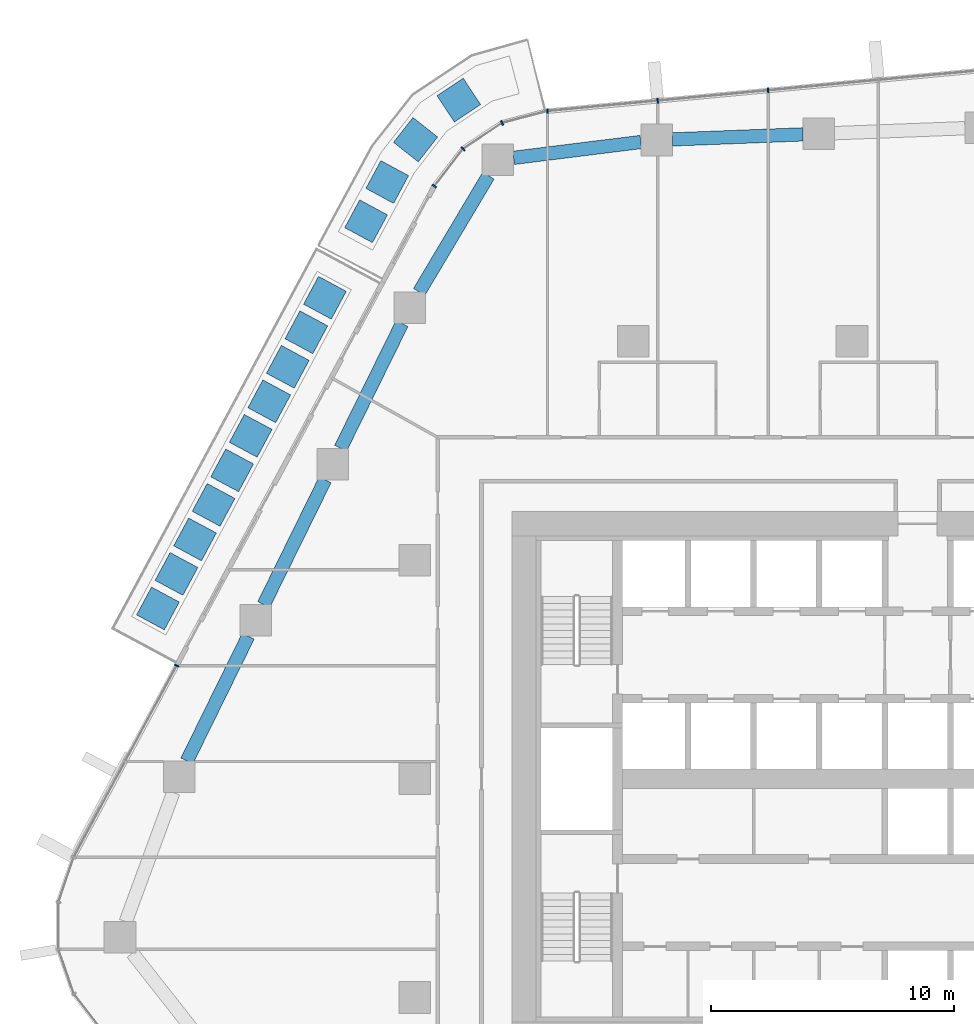
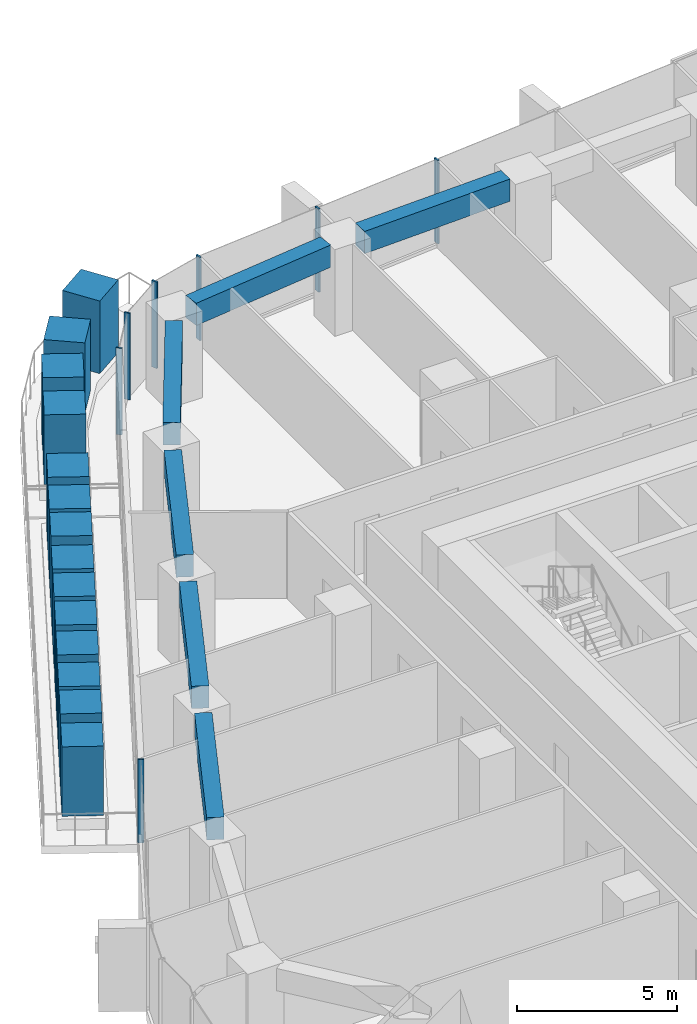
# One storey, part 6 of 24: 21 members, 6 beams, 3 elements without a shape of their own.
"""IFC4 building model written with IfcOpenShell, lengths in metres."""

from ifc_helpers import new_model, si_unit, direction, frame, origin, origin_2d, place, context, subcontext, project, spatial, rectangle, extrude, material, layer, layer_set, material_profile, profile_set, type_object, element, aggregate, save


model = new_model("IFC4")

# Units and contexts
model_context = context("Model", 3, precision=1e-05, world=origin(), true_north=direction((0.0, 1.0)))
body_context = subcontext(model_context, "Body", "Model", "MODEL_VIEW")
ifc_project = project(units=[si_unit("LENGTHUNIT", "METRE"), si_unit("AREAUNIT", "SQUARE_METRE"), si_unit("VOLUMEUNIT", "CUBIC_METRE"), si_unit("PLANEANGLEUNIT", "RADIAN"), si_unit("MASSUNIT", "GRAM", prefix="KILO")], contexts=[model_context])

# Site, building, storey
site_placement = place(None, origin())
site = spatial("IfcSite", under=ifc_project, at=site_placement, CompositionType="ELEMENT")
building_placement = place(site_placement, origin())
building = spatial("IfcBuilding", under=site, at=building_placement, Name="Dongbaek Canopy Tower", CompositionType="ELEMENT")
storey_placement = place(building_placement, frame((0.0, 0.0, 124.800048828125)))
storey = spatial("IfcBuildingStorey", under=building, at=storey_placement, Name="L27", CompositionType="ELEMENT", Elevation=124.800048828125)

# Curtain wall, members
ifc_material_1 = material(Name="Aluminium 6063-T6 pale anodised", Category="aluminium")
ifc_layer = layer(ifc_material_1, 0.199951171875)
ifc_layer_set = layer_set([ifc_layer], Name="CW-1 unitised tower curtain wall")
curtain_wall_type = type_object("IfcCurtainWallType", Name="CW-1 unitised tower curtain wall", PredefinedType="NOTDEFINED", material=ifc_layer_set)
curtain_wall_1_placement = place(storey_placement, origin())
curtain_wall_1 = element("IfcCurtainWall", 1, at=curtain_wall_1_placement, inside=storey, type_object=curtain_wall_type, Name="CW-1 curtain wall F1.1", PredefinedType="NOTDEFINED")
ifc_material_2 = material(Name="Aluminium 6063-T6 pale anodised", Category="aluminium")
ifc_material_profile_1 = material_profile(ifc_material_2, rectangle(XDim=0.199951171875, YDim=0.06005859375, at=origin_2d()), Name="CW-1 mullion 60 x 200")
ifc_profile_set_1 = profile_set([ifc_material_profile_1], Name="Aluminium 6063-T6 pale anodised")
member_type_1 = type_object("IfcMemberType", Name="CW-1 mullion 60 x 200", PredefinedType="MULLION", material=ifc_profile_set_1)
member_1_placement = place(storey_placement, frame((-3.454833984375, 28.332763671875, 0.119873046875), z_axis=(0.0, 0.0, 1.0), x_axis=(-0.093397804951, 0.995628871634, 0.0)))
member_1 = element("IfcMember", 2, at=member_1_placement, type_object=member_type_1, Name="CW-1 mullion F1.1.4", PredefinedType="MULLION", context=body_context, shape_type="SweptSolid", body=[
    extrude(rectangle(XDim=0.199951171875, YDim=0.06005859375, at=origin_2d()), origin(), (0.0, 0.0, 1.0), 3.18017578125),
])
member_2_placement = place(storey_placement, frame((-7.996826171875, 27.90673828125, 0.119873046875), z_axis=(0.0, 0.0, 1.0), x_axis=(-0.093397804951, 0.995628871634, 0.0)))
member_2 = element("IfcMember", 3, at=member_2_placement, type_object=member_type_1, Name="CW-1 mullion F1.1.5", PredefinedType="MULLION", context=body_context, shape_type="SweptSolid", body=[
    extrude(rectangle(XDim=0.199951171875, YDim=0.06005859375, at=origin_2d()), origin(), (0.0, 0.0, 1.0), 3.18017578125),
])
member_3_placement = place(storey_placement, frame((-12.5302734375, 27.4814453125, 0.119873046875), z_axis=(0.0, 0.0, 1.0), x_axis=(-0.093397804951, 0.995628871634, 0.0)))
member_3 = element("IfcMember", 4, at=member_3_placement, type_object=member_type_1, Name="CW-1 mullion F1.1.6", PredefinedType="MULLION", context=body_context, shape_type="SweptSolid", body=[
    extrude(rectangle(XDim=0.199951171875, YDim=0.06005859375, at=origin_2d()), origin(), (0.0, 0.0, 1.0), 3.18017578125),
])
aggregate(curtain_wall_1, [member_1, member_2, member_3])

curtain_wall_2_placement = place(storey_placement, origin())
curtain_wall_2 = element("IfcCurtainWall", 5, at=curtain_wall_2_placement, inside=storey, type_object=curtain_wall_type, Name="CW-1 curtain wall K2.1", PredefinedType="NOTDEFINED")
member_4_placement = place(storey_placement, frame((-14.401123046875, 26.988525390625, 0.0), z_axis=(0.0, 0.0, 1.0), x_axis=(-0.409192831574, 0.912447930892, 0.0)))
member_4 = element("IfcMember", 6, at=member_4_placement, type_object=member_type_1, Name="CW-1 mullion K2.1.2", PredefinedType="MULLION", context=body_context, shape_type="SweptSolid", body=[
    extrude(rectangle(XDim=0.199951171875, YDim=0.06005859375, at=origin_2d()), origin(), (0.0, 0.0, 1.0), 3.300048828125),
])
member_5_placement = place(storey_placement, frame((-16.006591796875, 25.924072265625, 0.0), z_axis=(0.0, 0.0, 1.0), x_axis=(-0.681349256358, 0.731958462524, 0.0)))
member_5 = element("IfcMember", 7, at=member_5_placement, type_object=member_type_1, Name="CW-1 mullion K2.1.3", PredefinedType="MULLION", context=body_context, shape_type="SweptSolid", body=[
    extrude(rectangle(XDim=0.199951171875, YDim=0.06005859375, at=origin_2d()), origin(), (0.0, 0.0, 1.0), 3.300048828125),
])
member_6_placement = place(storey_placement, frame((-17.1884765625, 24.392333984375, 0.0), z_axis=(0.0, 0.0, 1.0), x_axis=(-0.791721529724, 0.610882164883, 0.0)))
member_6 = element("IfcMember", 8, at=member_6_placement, type_object=member_type_1, Name="CW-1 mullion K2.1.4", PredefinedType="MULLION", context=body_context, shape_type="SweptSolid", body=[
    extrude(rectangle(XDim=0.199951171875, YDim=0.06005859375, at=origin_2d()), origin(), (0.0, 0.0, 1.0), 3.300048828125),
])
aggregate(curtain_wall_2, [member_4, member_5, member_6])

# Curtain wall, member
curtain_wall_3_placement = place(storey_placement, origin())
curtain_wall_3 = element("IfcCurtainWall", 9, at=curtain_wall_3_placement, inside=storey, type_object=curtain_wall_type, Name="CW-1 curtain wall F2.1", PredefinedType="NOTDEFINED")
member_7_placement = place(storey_placement, frame((-27.793701171875, 4.65966796875, 0.119873046875), z_axis=(0.0, 0.0, 1.0), x_axis=(-0.880842802858, 0.473408868372, 0.0)))
member_7 = element("IfcMember", 10, at=member_7_placement, type_object=member_type_1, Name="CW-1 mullion F2.1.1", PredefinedType="MULLION", context=body_context, shape_type="SweptSolid", body=[
    extrude(rectangle(XDim=0.199951171875, YDim=0.06005859375, at=origin_2d()), origin(), (0.0, 0.0, 1.0), 3.18017578125),
])
aggregate(curtain_wall_3, [member_7])

# Beams
ifc_material_3 = material(Name="Concrete C80", Category="concrete")
ifc_material_profile_2 = material_profile(ifc_material_3, rectangle(XDim=0.550048828125, YDim=0.85009765625, at=origin_2d()), Name="RC EDGE BEAM 550x850 C80")
ifc_profile_set_2 = profile_set([ifc_material_profile_2], Name="Concrete C80")
beam_type = type_object("IfcBeamType", Name="RC EDGE BEAM 550x850 C80", PredefinedType="BEAM", material=ifc_profile_set_2)
beam_1_placement = place(storey_placement, frame((-27.373291015625, 0.73291015625, 2.875), z_axis=(0.441213203353, 0.89740231178, 0.0), x_axis=(-0.89740231178, 0.441213203353, 0.0)))
element("IfcBeam", 11, at=beam_1_placement, inside=storey, type_object=beam_type, Name="EDGEBEAM:L27:09", PredefinedType="BEAM", context=body_context, shape_type="SweptSolid", body=[
    extrude(rectangle(XDim=0.550048828125, YDim=0.85009765625, at=origin_2d()), origin(), (0.0, 0.0, 1.0), 5.72216796875),
])
beam_2_placement = place(storey_placement, frame((-24.209228515625, 7.16796875, 2.875), z_axis=(0.441418224378, 0.897301482885, 0.0), x_axis=(-0.897301482885, 0.441418224378, 0.0)))
element("IfcBeam", 12, at=beam_2_placement, inside=storey, type_object=beam_type, Name="EDGEBEAM:L27:10", PredefinedType="BEAM", context=body_context, shape_type="SweptSolid", body=[
    extrude(rectangle(XDim=0.550048828125, YDim=0.85009765625, at=origin_2d()), origin(), (0.0, 0.0, 1.0), 5.7216796875),
])
beam_3_placement = place(storey_placement, frame((-21.044189453125, 13.60205078125, 2.875), z_axis=(0.441383867887, 0.89731838339, 0.0), x_axis=(-0.89731838339, 0.441383867887, 0.0)))
element("IfcBeam", 13, at=beam_3_placement, inside=storey, type_object=beam_type, Name="EDGEBEAM:L27:11", PredefinedType="BEAM", context=body_context, shape_type="SweptSolid", body=[
    extrude(rectangle(XDim=0.550048828125, YDim=0.85009765625, at=origin_2d()), origin(), (0.0, 0.0, 1.0), 5.721435546875),
])
beam_4_placement = place(storey_placement, frame((-17.81201171875, 20.035888671875, 2.875), z_axis=(0.511514682827, 0.859274536602, 0.0), x_axis=(-0.859274536602, 0.511514682827, 0.0)))
element("IfcBeam", 14, at=beam_4_placement, inside=storey, type_object=beam_type, Name="EDGEBEAM:L27:12", PredefinedType="BEAM", context=body_context, shape_type="SweptSolid", body=[
    extrude(rectangle(XDim=0.550048828125, YDim=0.85009765625, at=origin_2d()), origin(), (0.0, 0.0, 1.0), 5.570068359375),
])
beam_5_placement = place(storey_placement, frame((-13.926025390625, 25.55322265625, 2.875), z_axis=(0.992297087152, 0.123880954265, 0.0), x_axis=(-0.123880954265, 0.992297087152, 0.0)))
element("IfcBeam", 15, at=beam_5_placement, inside=storey, type_object=beam_type, Name="EDGEBEAM:L27:13", PredefinedType="BEAM", context=body_context, shape_type="SweptSolid", body=[
    extrude(rectangle(XDim=0.550048828125, YDim=0.85009765625, at=origin_2d()), origin(), (0.0, 0.0, 1.0), 5.275634765625),
])
beam_6_placement = place(storey_placement, frame((-7.39111328125, 26.31298828125, 2.875), z_axis=(0.999264392696, 0.038349361015, 0.0), x_axis=(-0.038349361015, 0.999264392696, 0.0)))
element("IfcBeam", 16, at=beam_6_placement, inside=storey, type_object=beam_type, Name="EDGEBEAM:L27:14", PredefinedType="BEAM", context=body_context, shape_type="SweptSolid", body=[
    extrude(rectangle(XDim=0.550048828125, YDim=0.85009765625, at=origin_2d()), origin(), (0.0, 0.0, 1.0), 5.373046875),
])

# Members
ifc_material_4 = material(Name="Concrete C40/50 planter mass with planting", Category="concrete")
ifc_material_profile_3 = material_profile(ifc_material_4, rectangle(XDim=1.300048828125, YDim=1.300048828125, at=origin_2d()), Name="Terrace PLANTER shrub mass 1300 x 1300")
ifc_profile_set_3 = profile_set([ifc_material_profile_3], Name="Concrete C40/50 planter mass with planting")
member_type_2 = type_object("IfcMemberType", Name="Terrace PLANTER shrub mass 1300 x 1300", PredefinedType="USERDEFINED", material=ifc_profile_set_3)
member_8_placement = place(storey_placement, frame((-21.69091796875, 19.7958984375, 0.419921875), z_axis=(0.0, 0.0, 1.0), x_axis=(-0.880842802858, 0.473408868372, 0.0)))
element("IfcMember", 17, at=member_8_placement, inside=storey, type_object=member_type_2, Name="Planter shrubs L27 2.1", ObjectType="PLANTER", PredefinedType="USERDEFINED", context=body_context, shape_type="SweptSolid", body=[
    extrude(rectangle(XDim=1.300048828125, YDim=1.300048828125, at=origin_2d()), origin(), (0.0, 0.0, 1.0), 2.77001953125),
])
member_9_placement = place(storey_placement, frame((-22.454345703125, 18.375244140625, 0.419921875), z_axis=(0.0, 0.0, 1.0), x_axis=(-0.880842802858, 0.473408868372, 0.0)))
element("IfcMember", 18, at=member_9_placement, inside=storey, type_object=member_type_2, Name="Planter shrubs L27 2.2", ObjectType="PLANTER", PredefinedType="USERDEFINED", context=body_context, shape_type="SweptSolid", body=[
    extrude(rectangle(XDim=1.300048828125, YDim=1.300048828125, at=origin_2d()), origin(), (0.0, 0.0, 1.0), 2.68994140625),
])
member_10_placement = place(storey_placement, frame((-23.218017578125, 16.95458984375, 0.419921875), z_axis=(0.0, 0.0, 1.0), x_axis=(-0.880842802858, 0.473408868372, 0.0)))
element("IfcMember", 19, at=member_10_placement, inside=storey, type_object=member_type_2, Name="Planter shrubs L27 2.3", ObjectType="PLANTER", PredefinedType="USERDEFINED", context=body_context, shape_type="SweptSolid", body=[
    extrude(rectangle(XDim=1.300048828125, YDim=1.300048828125, at=origin_2d()), origin(), (0.0, 0.0, 1.0), 2.780029296875),
])
member_11_placement = place(storey_placement, frame((-23.9814453125, 15.533935546875, 0.419921875), z_axis=(0.0, 0.0, 1.0), x_axis=(-0.880842802858, 0.473408868372, 0.0)))
element("IfcMember", 20, at=member_11_placement, inside=storey, type_object=member_type_2, Name="Planter shrubs L27 2.4", ObjectType="PLANTER", PredefinedType="USERDEFINED", context=body_context, shape_type="SweptSolid", body=[
    extrude(rectangle(XDim=1.300048828125, YDim=1.300048828125, at=origin_2d()), origin(), (0.0, 0.0, 1.0), 2.650146484375),
])
member_12_placement = place(storey_placement, frame((-24.744873046875, 14.11328125, 0.419921875), z_axis=(0.0, 0.0, 1.0), x_axis=(-0.880842802858, 0.473408868372, 0.0)))
element("IfcMember", 21, at=member_12_placement, inside=storey, type_object=member_type_2, Name="Planter shrubs L27 2.5", ObjectType="PLANTER", PredefinedType="USERDEFINED", context=body_context, shape_type="SweptSolid", body=[
    extrude(rectangle(XDim=1.300048828125, YDim=1.300048828125, at=origin_2d()), origin(), (0.0, 0.0, 1.0), 2.72998046875),
])
member_13_placement = place(storey_placement, frame((-25.508544921875, 12.692626953125, 0.419921875), z_axis=(0.0, 0.0, 1.0), x_axis=(-0.880842802858, 0.473408868372, 0.0)))
element("IfcMember", 22, at=member_13_placement, inside=storey, type_object=member_type_2, Name="Planter shrubs L27 2.6", ObjectType="PLANTER", PredefinedType="USERDEFINED", context=body_context, shape_type="SweptSolid", body=[
    extrude(rectangle(XDim=1.300048828125, YDim=1.300048828125, at=origin_2d()), origin(), (0.0, 0.0, 1.0), 2.780029296875),
])
member_14_placement = place(storey_placement, frame((-26.27197265625, 11.27197265625, 0.419921875), z_axis=(0.0, 0.0, 1.0), x_axis=(-0.880842802858, 0.473408868372, 0.0)))
element("IfcMember", 23, at=member_14_placement, inside=storey, type_object=member_type_2, Name="Planter shrubs L27 2.7", ObjectType="PLANTER", PredefinedType="USERDEFINED", context=body_context, shape_type="SweptSolid", body=[
    extrude(rectangle(XDim=1.300048828125, YDim=1.300048828125, at=origin_2d()), origin(), (0.0, 0.0, 1.0), 2.77001953125),
])
member_15_placement = place(storey_placement, frame((-27.03564453125, 9.851318359375, 0.419921875), z_axis=(0.0, 0.0, 1.0), x_axis=(-0.880842802858, 0.473408868372, 0.0)))
element("IfcMember", 24, at=member_15_placement, inside=storey, type_object=member_type_2, Name="Planter shrubs L27 2.8", ObjectType="PLANTER", PredefinedType="USERDEFINED", context=body_context, shape_type="SweptSolid", body=[
    extrude(rectangle(XDim=1.300048828125, YDim=1.300048828125, at=origin_2d()), origin(), (0.0, 0.0, 1.0), 2.68994140625),
])
member_16_placement = place(storey_placement, frame((-27.799072265625, 8.4306640625, 0.419921875), z_axis=(0.0, 0.0, 1.0), x_axis=(-0.880842802858, 0.473408868372, 0.0)))
element("IfcMember", 25, at=member_16_placement, inside=storey, type_object=member_type_2, Name="Planter shrubs L27 2.9", ObjectType="PLANTER", PredefinedType="USERDEFINED", context=body_context, shape_type="SweptSolid", body=[
    extrude(rectangle(XDim=1.300048828125, YDim=1.300048828125, at=origin_2d()), origin(), (0.0, 0.0, 1.0), 2.780029296875),
])
member_17_placement = place(storey_placement, frame((-28.5625, 7.010009765625, 0.419921875), z_axis=(0.0, 0.0, 1.0), x_axis=(-0.880842802858, 0.473408868372, 0.0)))
element("IfcMember", 26, at=member_17_placement, inside=storey, type_object=member_type_2, Name="Planter shrubs L27 2.10", ObjectType="PLANTER", PredefinedType="USERDEFINED", context=body_context, shape_type="SweptSolid", body=[
    extrude(rectangle(XDim=1.300048828125, YDim=1.300048828125, at=origin_2d()), origin(), (0.0, 0.0, 1.0), 2.650146484375),
])
member_18_placement = place(storey_placement, frame((-16.1806640625, 27.92919921875, 0.419921875), z_axis=(0.0, 0.0, 1.0), x_axis=(-0.552688541068, 0.833387890824, 0.0)))
element("IfcMember", 27, at=member_18_placement, inside=storey, type_object=member_type_2, Name="Planter shrubs L27 6.1", ObjectType="PLANTER", PredefinedType="USERDEFINED", context=body_context, shape_type="SweptSolid", body=[
    extrude(rectangle(XDim=1.300048828125, YDim=1.300048828125, at=origin_2d()), origin(), (0.0, 0.0, 1.0), 2.77001953125),
])
member_19_placement = place(storey_placement, frame((-17.958984375, 26.30078125, 0.419921875), z_axis=(0.0, 0.0, 1.0), x_axis=(-0.787326145828, 0.616536730532, 0.0)))
element("IfcMember", 28, at=member_19_placement, inside=storey, type_object=member_type_2, Name="Planter shrubs L27 6.2", ObjectType="PLANTER", PredefinedType="USERDEFINED", context=body_context, shape_type="SweptSolid", body=[
    extrude(rectangle(XDim=1.300048828125, YDim=1.300048828125, at=origin_2d()), origin(), (0.0, 0.0, 1.0), 2.68994140625),
])
member_20_placement = place(storey_placement, frame((-19.126220703125, 24.55859375, 0.419921875), z_axis=(0.0, 0.0, 1.0), x_axis=(-0.880109186009, 0.474771335174, 0.0)))
element("IfcMember", 29, at=member_20_placement, inside=storey, type_object=member_type_2, Name="Planter shrubs L27 6.3", ObjectType="PLANTER", PredefinedType="USERDEFINED", context=body_context, shape_type="SweptSolid", body=[
    extrude(rectangle(XDim=1.300048828125, YDim=1.300048828125, at=origin_2d()), origin(), (0.0, 0.0, 1.0), 2.780029296875),
])
member_21_placement = place(storey_placement, frame((-19.99755859375, 22.943359375, 0.419921875), z_axis=(0.0, 0.0, 1.0), x_axis=(-0.880109186009, 0.474771335174, 0.0)))
element("IfcMember", 30, at=member_21_placement, inside=storey, type_object=member_type_2, Name="Planter shrubs L27 6.4", ObjectType="PLANTER", PredefinedType="USERDEFINED", context=body_context, shape_type="SweptSolid", body=[
    extrude(rectangle(XDim=1.300048828125, YDim=1.300048828125, at=origin_2d()), origin(), (0.0, 0.0, 1.0), 2.650146484375),
])

save(model, "model.ifc")
